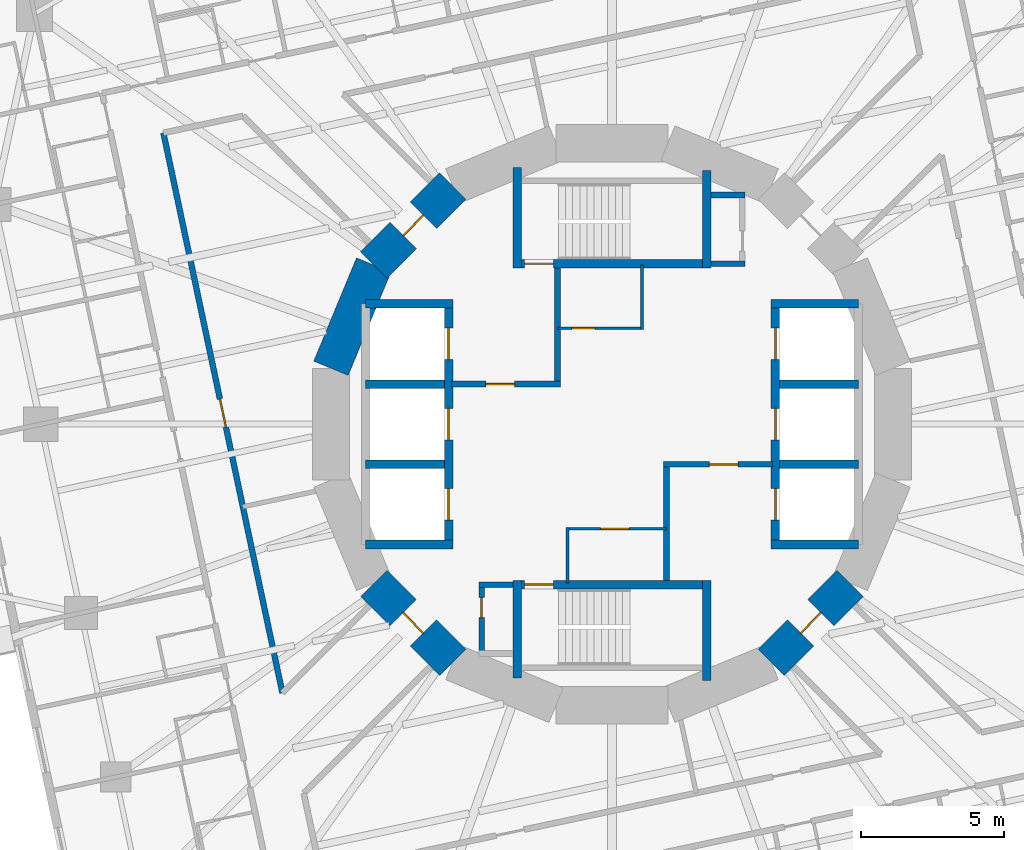
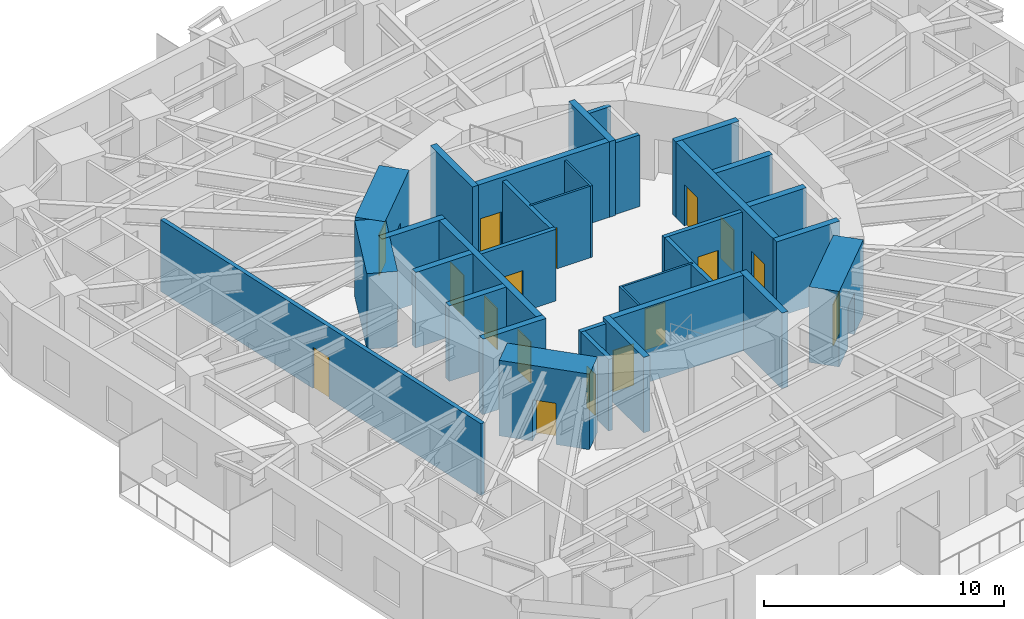
# One storey, part 7 of 14: 33 walls, 17 doors, 17 openings.
"""IFC4 building model written with IfcOpenShell, lengths in metres."""

from ifc_helpers import new_model, si_unit, direction, frame, frame_2d, origin, place, context, subcontext, project, spatial, rectangle, extrude, material, layer, layer_set, type_object, element, fill, save


model = new_model("IFC4")

# Units and contexts
model_context = context("Model", 3, precision=1e-05, world=origin(), true_north=direction((0.0, 1.0)))
body_context = subcontext(model_context, "Body", "Model", "MODEL_VIEW")
ifc_project = project(units=[si_unit("LENGTHUNIT", "METRE"), si_unit("AREAUNIT", "SQUARE_METRE"), si_unit("VOLUMEUNIT", "CUBIC_METRE"), si_unit("PLANEANGLEUNIT", "RADIAN"), si_unit("MASSUNIT", "GRAM", prefix="KILO")], contexts=[model_context])

# Site, building, storey
site_placement = place(None, origin())
site = spatial("IfcSite", under=ifc_project, at=site_placement, CompositionType="ELEMENT")
building_placement = place(site_placement, origin())
building = spatial("IfcBuilding", under=site, at=building_placement, Name="Nakasero Lantern House", CompositionType="ELEMENT")
storey_placement = place(building_placement, frame((0.0, 0.0, 120.39990234375)))
storey = spatial("IfcBuildingStorey", under=building, at=storey_placement, Name="L29", CompositionType="ELEMENT", Elevation=120.39990234375)

# Wall, openings, doors
ifc_material_1 = material(Name="Concrete C50/60", Category="concrete")
ifc_layer_1 = layer(ifc_material_1, 0.300048828125)
ifc_layer_set_1 = layer_set([ifc_layer_1], Name="Core inner wall 300")
wall_type_1 = type_object("IfcWallType", Name="Core inner wall 300", PredefinedType="SHEAR", material=ifc_layer_set_1)
wall_1_placement = place(storey_placement, frame((-5.699951171875, -4.199951171875, 0.0), z_axis=(0.0, 0.0, 1.0), x_axis=(0.0, 1.0, 0.0)))
wall_1 = element("IfcWall", 1, at=wall_1_placement, inside=storey, type_object=wall_type_1, Name="Core inner wall L29 LW", PredefinedType="SHEAR", context=body_context, shape_type="SweptSolid", body=[
    extrude(rectangle(XDim=8.39990234375, YDim=0.300048828125, at=frame_2d((4.199951171875, 0.0))), origin(), (0.0, 0.0, 1.0), 3.85009765625),
])
opening_1_placement = place(wall_1_placement, frame((0.85009765625, 0.0, 0.0)))
opening_1 = element("IfcOpeningElement", 2, at=opening_1_placement, cuts=wall_1, Name="Opening LD", PredefinedType="OPENING", context=body_context, shape_type="SweptSolid", body=[
    extrude(rectangle(XDim=1.10009765625, YDim=2.10009765625, at=frame_2d((0.550048828125, 1.050048828125))), frame((0.0, 0.169921875, 0.0), z_axis=(0.0, -1.0, 0.0), x_axis=(1.0, 0.0, 0.0)), (0.0, 0.0, 1.0), 0.340087890625),
])
opening_2_placement = place(wall_1_placement, frame((3.64990234375, 0.0, 0.0)))
opening_2 = element("IfcOpeningElement", 3, at=opening_2_placement, cuts=wall_1, Name="Opening LD", PredefinedType="OPENING", context=body_context, shape_type="SweptSolid", body=[
    extrude(rectangle(XDim=1.10009765625, YDim=2.10009765625, at=frame_2d((0.550048828125, 1.050048828125))), frame((0.0, 0.169921875, 0.0), z_axis=(0.0, -1.0, 0.0), x_axis=(1.0, 0.0, 0.0)), (0.0, 0.0, 1.0), 0.340087890625),
])
opening_3_placement = place(wall_1_placement, frame((6.449951171875, 0.0, 0.0)))
opening_3 = element("IfcOpeningElement", 4, at=opening_3_placement, cuts=wall_1, Name="Opening LD", PredefinedType="OPENING", context=body_context, shape_type="SweptSolid", body=[
    extrude(rectangle(XDim=1.10009765625, YDim=2.10009765625, at=frame_2d((0.550048828125, 1.050048828125))), frame((0.0, 0.169921875, 0.0), z_axis=(0.0, -1.0, 0.0), x_axis=(1.0, 0.0, 0.0)), (0.0, 0.0, 1.0), 0.340087890625),
])
ifc_material_2 = material(Name="Steel S355", Category="steel")
door_type_1 = type_object("IfcDoorType", Name="Lift landing door E120 1100", OperationType="SLIDING_TO_LEFT", PredefinedType="DOOR", material=ifc_material_2)
door_1_placement = place(opening_1_placement, origin())
door_1 = element("IfcDoor", 5, at=door_1_placement, inside=storey, type_object=door_type_1, Name="Lift landing door LW1", OperationType="SLIDING_TO_LEFT", OverallHeight=2.10009765625, OverallWidth=1.10009765625, PredefinedType="DOOR", context=body_context, shape_type="SweptSolid", body=[
    extrude(rectangle(XDim=1.10009765625, YDim=2.10009765625, at=frame_2d((0.550048828125, 1.050048828125))), frame((0.0, 0.02490234375, 0.0), z_axis=(0.0, -1.0, 0.0), x_axis=(1.0, 0.0, 0.0)), (0.0, 0.0, 1.0), 0.050048828125),
])
fill(opening_1, door_1)
door_2_placement = place(opening_2_placement, origin())
door_2 = element("IfcDoor", 6, at=door_2_placement, inside=storey, type_object=door_type_1, Name="Lift landing door LW2", OperationType="SLIDING_TO_LEFT", OverallHeight=2.10009765625, OverallWidth=1.10009765625, PredefinedType="DOOR", context=body_context, shape_type="SweptSolid", body=[
    extrude(rectangle(XDim=1.10009765625, YDim=2.10009765625, at=frame_2d((0.550048828125, 1.050048828125))), frame((0.0, 0.02490234375, 0.0), z_axis=(0.0, -1.0, 0.0), x_axis=(1.0, 0.0, 0.0)), (0.0, 0.0, 1.0), 0.050048828125),
])
fill(opening_2, door_2)
door_3_placement = place(opening_3_placement, origin())
door_3 = element("IfcDoor", 7, at=door_3_placement, inside=storey, type_object=door_type_1, Name="Lift landing door LW3", OperationType="SLIDING_TO_LEFT", OverallHeight=2.10009765625, OverallWidth=1.10009765625, PredefinedType="DOOR", context=body_context, shape_type="SweptSolid", body=[
    extrude(rectangle(XDim=1.10009765625, YDim=2.10009765625, at=frame_2d((0.550048828125, 1.050048828125))), frame((0.0, 0.02490234375, 0.0), z_axis=(0.0, -1.0, 0.0), x_axis=(1.0, 0.0, 0.0)), (0.0, 0.0, 1.0), 0.050048828125),
])
fill(opening_3, door_3)

wall_2_placement = place(storey_placement, frame((5.699951171875, -4.199951171875, 0.0), z_axis=(0.0, 0.0, 1.0), x_axis=(0.0, 1.0, 0.0)))
wall_2 = element("IfcWall", 8, at=wall_2_placement, inside=storey, type_object=wall_type_1, Name="Core inner wall L29 LE", PredefinedType="SHEAR", context=body_context, shape_type="SweptSolid", body=[
    extrude(rectangle(XDim=8.39990234375, YDim=0.300048828125, at=frame_2d((4.199951171875, 0.0))), origin(), (0.0, 0.0, 1.0), 3.85009765625),
])
opening_4_placement = place(wall_2_placement, frame((0.85009765625, 0.0, 0.0)))
opening_4 = element("IfcOpeningElement", 9, at=opening_4_placement, cuts=wall_2, Name="Opening LD", PredefinedType="OPENING", context=body_context, shape_type="SweptSolid", body=[
    extrude(rectangle(XDim=1.10009765625, YDim=2.10009765625, at=frame_2d((0.550048828125, 1.050048828125))), frame((0.0, 0.169921875, 0.0), z_axis=(0.0, -1.0, 0.0), x_axis=(1.0, 0.0, 0.0)), (0.0, 0.0, 1.0), 0.340087890625),
])
opening_5_placement = place(wall_2_placement, frame((3.64990234375, 0.0, 0.0)))
opening_5 = element("IfcOpeningElement", 10, at=opening_5_placement, cuts=wall_2, Name="Opening LD", PredefinedType="OPENING", context=body_context, shape_type="SweptSolid", body=[
    extrude(rectangle(XDim=1.10009765625, YDim=2.10009765625, at=frame_2d((0.550048828125, 1.050048828125))), frame((0.0, 0.169921875, 0.0), z_axis=(0.0, -1.0, 0.0), x_axis=(1.0, 0.0, 0.0)), (0.0, 0.0, 1.0), 0.340087890625),
])
opening_6_placement = place(wall_2_placement, frame((6.449951171875, 0.0, 0.0)))
opening_6 = element("IfcOpeningElement", 11, at=opening_6_placement, cuts=wall_2, Name="Opening LD", PredefinedType="OPENING", context=body_context, shape_type="SweptSolid", body=[
    extrude(rectangle(XDim=1.10009765625, YDim=2.10009765625, at=frame_2d((0.550048828125, 1.050048828125))), frame((0.0, 0.169921875, 0.0), z_axis=(0.0, -1.0, 0.0), x_axis=(1.0, 0.0, 0.0)), (0.0, 0.0, 1.0), 0.340087890625),
])
door_4_placement = place(opening_4_placement, origin())
door_4 = element("IfcDoor", 12, at=door_4_placement, inside=storey, type_object=door_type_1, Name="Lift landing door LE1", OperationType="SLIDING_TO_LEFT", OverallHeight=2.10009765625, OverallWidth=1.10009765625, PredefinedType="DOOR", context=body_context, shape_type="SweptSolid", body=[
    extrude(rectangle(XDim=1.10009765625, YDim=2.10009765625, at=frame_2d((0.550048828125, 1.050048828125))), frame((0.0, 0.02490234375, 0.0), z_axis=(0.0, -1.0, 0.0), x_axis=(1.0, 0.0, 0.0)), (0.0, 0.0, 1.0), 0.050048828125),
])
fill(opening_4, door_4)
door_5_placement = place(opening_5_placement, origin())
door_5 = element("IfcDoor", 13, at=door_5_placement, inside=storey, type_object=door_type_1, Name="Lift landing door LE2", OperationType="SLIDING_TO_LEFT", OverallHeight=2.10009765625, OverallWidth=1.10009765625, PredefinedType="DOOR", context=body_context, shape_type="SweptSolid", body=[
    extrude(rectangle(XDim=1.10009765625, YDim=2.10009765625, at=frame_2d((0.550048828125, 1.050048828125))), frame((0.0, 0.02490234375, 0.0), z_axis=(0.0, -1.0, 0.0), x_axis=(1.0, 0.0, 0.0)), (0.0, 0.0, 1.0), 0.050048828125),
])
fill(opening_5, door_5)
door_6_placement = place(opening_6_placement, origin())
door_6 = element("IfcDoor", 14, at=door_6_placement, inside=storey, type_object=door_type_1, Name="Lift landing door LE3", OperationType="SLIDING_TO_LEFT", OverallHeight=2.10009765625, OverallWidth=1.10009765625, PredefinedType="DOOR", context=body_context, shape_type="SweptSolid", body=[
    extrude(rectangle(XDim=1.10009765625, YDim=2.10009765625, at=frame_2d((0.550048828125, 1.050048828125))), frame((0.0, 0.02490234375, 0.0), z_axis=(0.0, -1.0, 0.0), x_axis=(1.0, 0.0, 0.0)), (0.0, 0.0, 1.0), 0.050048828125),
])
fill(opening_6, door_6)

# Walls
for number, where, z_axis, x_axis, name in (
    (15, (-8.60009765625, 4.199951171875, 0.0), (0.0, 0.0, 1.0), (1.0, 0.0, 0.0), "Core inner wall L29 LWN"),
    (16, (-8.60009765625, -4.199951171875, 0.0), (0.0, 0.0, 1.0), (1.0, 0.0, 0.0), "Core inner wall L29 LWS"),
    (17, (5.550048828125, 4.199951171875, 0.0), (0.0, 0.0, 1.0), (1.0, 0.0, 0.0), "Core inner wall L29 LEN"),
    (18, (5.550048828125, -4.199951171875, 0.0), (0.0, 0.0, 1.0), (1.0, 0.0, 0.0), "Core inner wall L29 LES"),
):
    element("IfcWall", number, at=place(storey_placement, frame(where, z_axis=z_axis, x_axis=x_axis)), inside=storey, type_object=wall_type_1, Name=name, PredefinedType="SHEAR", context=body_context, shape_type="SweptSolid", body=[
        extrude(rectangle(XDim=3.050048828125, YDim=0.300048828125, at=frame_2d((1.52490234375, 0.0))), origin(), (0.0, 0.0, 1.0), 3.85009765625),
    ])
for number, where, z_axis, x_axis, name in (
    (19, (-8.60009765625, -1.39990234375, 0.0), (0.0, 0.0, 1.0), (1.0, 0.0, 0.0), "Core inner wall L29 LW1"),
    (20, (-8.60009765625, 1.39990234375, 0.0), (0.0, 0.0, 1.0), (1.0, 0.0, 0.0), "Core inner wall L29 LW2"),
    (21, (5.85009765625, -1.39990234375, 0.0), (0.0, 0.0, 1.0), (1.0, 0.0, 0.0), "Core inner wall L29 LE1"),
    (22, (5.85009765625, 1.39990234375, 0.0), (0.0, 0.0, 1.0), (1.0, 0.0, 0.0), "Core inner wall L29 LE2"),
):
    element("IfcWall", number, at=place(storey_placement, frame(where, z_axis=z_axis, x_axis=x_axis)), inside=storey, type_object=wall_type_1, Name=name, PredefinedType="SHEAR", context=body_context, shape_type="SweptSolid", body=[
        extrude(rectangle(XDim=2.75, YDim=0.300048828125, at=frame_2d((1.375, 0.0))), origin(), (0.0, 0.0, 1.0), 3.85009765625),
    ])

# Wall, opening, door
wall_3_placement = place(storey_placement, frame((-3.449951171875, 5.60009765625, 0.0), z_axis=(0.0, 0.0, 1.0), x_axis=(1.0, 0.0, 0.0)))
wall_3 = element("IfcWall", 23, at=wall_3_placement, inside=storey, type_object=wall_type_1, Name="Core inner wall L29 SN", PredefinedType="SHEAR", context=body_context, shape_type="SweptSolid", body=[
    extrude(rectangle(XDim=6.89990234375, YDim=0.300048828125, at=frame_2d((3.449951171875, 0.0))), origin(), (0.0, 0.0, 1.0), 3.85009765625),
])
opening_7_placement = place(wall_3_placement, frame((0.39990234375, 0.0, 0.0)))
opening_7 = element("IfcOpeningElement", 24, at=opening_7_placement, cuts=wall_3, Name="Opening D05", PredefinedType="OPENING", context=body_context, shape_type="SweptSolid", body=[
    extrude(rectangle(XDim=1.0, YDim=2.10009765625, at=frame_2d((0.5, 1.050048828125))), frame((0.0, 0.169921875, 0.0), z_axis=(0.0, -1.0, 0.0), x_axis=(1.0, 0.0, 0.0)), (0.0, 0.0, 1.0), 0.340087890625),
])
ifc_material_3 = material(Name="Timber C24", Category="wood")
door_type_2 = type_object("IfcDoorType", Name="Core door FD60S 1000", OperationType="SINGLE_SWING_LEFT", PredefinedType="DOOR", material=ifc_material_3)
door_7_placement = place(opening_7_placement, origin())
door_7 = element("IfcDoor", 25, at=door_7_placement, inside=storey, type_object=door_type_2, Name="Door L29 D-ST1", OperationType="SINGLE_SWING_LEFT", OverallHeight=2.10009765625, OverallWidth=1.0, PredefinedType="DOOR", context=body_context, shape_type="SweptSolid", body=[
    extrude(rectangle(XDim=1.0, YDim=2.10009765625, at=frame_2d((0.5, 1.050048828125))), frame((0.0, 0.02490234375, 0.0), z_axis=(0.0, -1.0, 0.0), x_axis=(1.0, 0.0, 0.0)), (0.0, 0.0, 1.0), 0.050048828125),
])
fill(opening_7, door_7)

# Walls
wall_4_placement = place(storey_placement, frame((-3.300048828125, 5.449951171875, 0.0), z_axis=(0.0, 0.0, 1.0), x_axis=(0.0, 1.0, 0.0)))
element("IfcWall", 26, at=wall_4_placement, inside=storey, type_object=wall_type_1, Name="Core inner wall L29 SNW", PredefinedType="SHEAR", context=body_context, shape_type="SweptSolid", body=[
    extrude(rectangle(XDim=3.5, YDim=0.300048828125, at=frame_2d((1.75, 0.0))), origin(), (0.0, 0.0, 1.0), 3.85009765625),
])
wall_5_placement = place(storey_placement, frame((3.300048828125, 5.449951171875, 0.0), z_axis=(0.0, 0.0, 1.0), x_axis=(0.0, 1.0, 0.0)))
element("IfcWall", 27, at=wall_5_placement, inside=storey, type_object=wall_type_1, Name="Core inner wall L29 SNE", PredefinedType="SHEAR", context=body_context, shape_type="SweptSolid", body=[
    extrude(rectangle(XDim=3.400146484375, YDim=0.300048828125, at=frame_2d((1.7001953125, 0.0))), origin(), (0.0, 0.0, 1.0), 3.85009765625),
])

# Wall, opening, door
wall_6_placement = place(storey_placement, frame((-3.449951171875, -5.60009765625, 0.0), z_axis=(0.0, 0.0, 1.0), x_axis=(1.0, 0.0, 0.0)))
wall_6 = element("IfcWall", 28, at=wall_6_placement, inside=storey, type_object=wall_type_1, Name="Core inner wall L29 SS", PredefinedType="SHEAR", context=body_context, shape_type="SweptSolid", body=[
    extrude(rectangle(XDim=6.89990234375, YDim=0.300048828125, at=frame_2d((3.449951171875, 0.0))), origin(), (0.0, 0.0, 1.0), 3.85009765625),
])
opening_8_placement = place(wall_6_placement, frame((0.39990234375, 0.0, 0.0)))
opening_8 = element("IfcOpeningElement", 29, at=opening_8_placement, cuts=wall_6, Name="Opening D05", PredefinedType="OPENING", context=body_context, shape_type="SweptSolid", body=[
    extrude(rectangle(XDim=1.0, YDim=2.10009765625, at=frame_2d((0.5, 1.050048828125))), frame((0.0, 0.169921875, 0.0), z_axis=(0.0, -1.0, 0.0), x_axis=(1.0, 0.0, 0.0)), (0.0, 0.0, 1.0), 0.340087890625),
])
door_8_placement = place(opening_8_placement, origin())
door_8 = element("IfcDoor", 30, at=door_8_placement, inside=storey, type_object=door_type_2, Name="Door L29 D-ST2", OperationType="SINGLE_SWING_LEFT", OverallHeight=2.10009765625, OverallWidth=1.0, PredefinedType="DOOR", context=body_context, shape_type="SweptSolid", body=[
    extrude(rectangle(XDim=1.0, YDim=2.10009765625, at=frame_2d((0.5, 1.050048828125))), frame((0.0, 0.02490234375, 0.0), z_axis=(0.0, -1.0, 0.0), x_axis=(1.0, 0.0, 0.0)), (0.0, 0.0, 1.0), 0.050048828125),
])
fill(opening_8, door_8)

# Walls
wall_7_placement = place(storey_placement, frame((-3.300048828125, -5.449951171875, 0.0), z_axis=(0.0, 0.0, 1.0), x_axis=(0.0, -1.0, 0.0)))
element("IfcWall", 31, at=wall_7_placement, inside=storey, type_object=wall_type_1, Name="Core inner wall L29 SSW", PredefinedType="SHEAR", context=body_context, shape_type="SweptSolid", body=[
    extrude(rectangle(XDim=3.400146484375, YDim=0.300048828125, at=frame_2d((1.7001953125, 0.0))), origin(), (0.0, 0.0, 1.0), 3.85009765625),
])
wall_8_placement = place(storey_placement, frame((3.300048828125, -5.449951171875, 0.0), z_axis=(0.0, 0.0, 1.0), x_axis=(0.0, -1.0, 0.0)))
element("IfcWall", 32, at=wall_8_placement, inside=storey, type_object=wall_type_1, Name="Core inner wall L29 SSE", PredefinedType="SHEAR", context=body_context, shape_type="SweptSolid", body=[
    extrude(rectangle(XDim=3.5, YDim=0.300048828125, at=frame_2d((1.75, 0.0))), origin(), (0.0, 0.0, 1.0), 3.85009765625),
])

# Wall, opening, door
ifc_material_4 = material(Name="Blockwork", Category="masonry")
ifc_layer_2 = layer(ifc_material_4, 0.10009765625)
ifc_layer_set_2 = layer_set([ifc_layer_2], Name="Core room wall 100")
wall_type_2 = type_object("IfcWallType", Name="Core room wall 100", PredefinedType="PARTITIONING", material=ifc_layer_set_2)
wall_9_placement = place(storey_placement, frame((-1.89990234375, 3.35009765625, 0.0), z_axis=(0.0, 0.0, 1.0), x_axis=(1.0, 0.0, 0.0)))
wall_9 = element("IfcWall", 33, at=wall_9_placement, inside=storey, type_object=wall_type_2, Name="Core room wall L29 CR-NES", PredefinedType="PARTITIONING", context=body_context, shape_type="SweptSolid", body=[
    extrude(rectangle(XDim=3.0, YDim=0.10009765625, at=frame_2d((1.5, 0.0))), origin(), (0.0, 0.0, 1.0), 3.650146484375),
])
opening_9_placement = place(wall_9_placement, frame((0.5, 0.0, 0.0)))
opening_9 = element("IfcOpeningElement", 34, at=opening_9_placement, cuts=wall_9, Name="Opening D15", PredefinedType="OPENING", context=body_context, shape_type="SweptSolid", body=[
    extrude(rectangle(XDim=0.800048828125, YDim=2.10009765625, at=frame_2d((0.39990234375, 1.050048828125))), frame((0.0, 0.070068359375, 0.0), z_axis=(0.0, -1.0, 0.0), x_axis=(1.0, 0.0, 0.0)), (0.0, 0.0, 1.0), 0.14013671875),
])
ifc_material_5 = material(Name="Timber C24", Category="wood")
door_type_3 = type_object("IfcDoorType", Name="Cleaner's store door FD30S 800", OperationType="SINGLE_SWING_LEFT", PredefinedType="DOOR", material=ifc_material_5)
door_9_placement = place(opening_9_placement, origin())
door_9 = element("IfcDoor", 35, at=door_9_placement, inside=storey, type_object=door_type_3, Name="Door L29 D-CR-NE", OperationType="SINGLE_SWING_LEFT", OverallHeight=2.10009765625, OverallWidth=0.800048828125, PredefinedType="DOOR", context=body_context, shape_type="SweptSolid", body=[
    extrude(rectangle(XDim=0.800048828125, YDim=2.10009765625, at=frame_2d((0.39990234375, 1.050048828125))), frame((0.0, 0.02490234375, 0.0), z_axis=(0.0, -1.0, 0.0), x_axis=(1.0, 0.0, 0.0)), (0.0, 0.0, 1.0), 0.050048828125),
])
fill(opening_9, door_9)

# Wall
wall_10_placement = place(storey_placement, frame((1.050048828125, 3.300048828125, 0.0), z_axis=(0.0, 0.0, 1.0), x_axis=(0.0, 1.0, 0.0)))
element("IfcWall", 36, at=wall_10_placement, inside=storey, type_object=wall_type_2, Name="Core room wall L29 CR-NEE", PredefinedType="PARTITIONING", context=body_context, shape_type="SweptSolid", body=[
    extrude(rectangle(XDim=2.25, YDim=0.10009765625, at=frame_2d((1.125, 0.0))), origin(), (0.0, 0.0, 1.0), 3.650146484375),
])

# Wall, opening, door
wall_11_placement = place(storey_placement, frame((-1.60009765625, -3.64990234375, 0.0), z_axis=(0.0, 0.0, 1.0), x_axis=(1.0, 0.0, 0.0)))
wall_11 = element("IfcWall", 37, at=wall_11_placement, inside=storey, type_object=wall_type_2, Name="Core room wall L29 CR-SWN", PredefinedType="PARTITIONING", context=body_context, shape_type="SweptSolid", body=[
    extrude(rectangle(XDim=3.5, YDim=0.10009765625, at=frame_2d((1.75, 0.0))), origin(), (0.0, 0.0, 1.0), 3.650146484375),
])
opening_10_placement = place(wall_11_placement, frame((1.199951171875, 0.0, 0.0)))
opening_10 = element("IfcOpeningElement", 38, at=opening_10_placement, cuts=wall_11, Name="Opening D07", PredefinedType="OPENING", context=body_context, shape_type="SweptSolid", body=[
    extrude(rectangle(XDim=1.0, YDim=2.10009765625, at=frame_2d((0.5, 1.050048828125))), frame((0.0, 0.070068359375, 0.0), z_axis=(0.0, -1.0, 0.0), x_axis=(1.0, 0.0, 0.0)), (0.0, 0.0, 1.0), 0.14013671875),
])
ifc_material_6 = material(Name="Timber C24", Category="wood")
door_type_4 = type_object("IfcDoorType", Name="Room door FD30S 1000", OperationType="SINGLE_SWING_LEFT", PredefinedType="DOOR", material=ifc_material_6)
door_10_placement = place(opening_10_placement, origin())
door_10 = element("IfcDoor", 39, at=door_10_placement, inside=storey, type_object=door_type_4, Name="Door L29 D-CR-SW", OperationType="SINGLE_SWING_LEFT", OverallHeight=2.10009765625, OverallWidth=1.0, PredefinedType="DOOR", context=body_context, shape_type="SweptSolid", body=[
    extrude(rectangle(XDim=1.0, YDim=2.10009765625, at=frame_2d((0.5, 1.050048828125))), frame((0.0, 0.02490234375, 0.0), z_axis=(0.0, -1.0, 0.0), x_axis=(1.0, 0.0, 0.0)), (0.0, 0.0, 1.0), 0.050048828125),
])
fill(opening_10, door_10)

# Wall
wall_12_placement = place(storey_placement, frame((-1.550048828125, -5.550048828125, 0.0), z_axis=(0.0, 0.0, 1.0), x_axis=(0.0, 1.0, 0.0)))
element("IfcWall", 40, at=wall_12_placement, inside=storey, type_object=wall_type_2, Name="Core room wall L29 CR-SWW", PredefinedType="PARTITIONING", context=body_context, shape_type="SweptSolid", body=[
    extrude(rectangle(XDim=1.949951171875, YDim=0.10009765625, at=frame_2d((0.97509765625, 0.0))), origin(), (0.0, 0.0, 1.0), 3.650146484375),
])

# Wall, opening, door
ifc_material_7 = material(Name="Concrete C50/60", Category="concrete")
ifc_layer_3 = layer(ifc_material_7, 1.300048828125)
ifc_layer_set_3 = layer_set([ifc_layer_3], Name="Core wall 1300")
wall_type_3 = type_object("IfcWallType", Name="Core wall 1300", PredefinedType="SHEAR", material=ifc_layer_set_3)
wall_13_placement = place(storey_placement, frame((-5.5556640625, 8.314697265625, 0.0), z_axis=(0.0, 0.0, 1.0), x_axis=(-0.707106781187, -0.707106781187, 0.0)))
wall_13 = element("IfcWall", 41, at=wall_13_placement, inside=storey, type_object=wall_type_3, Name="Core wall L29 facet 6", PredefinedType="SHEAR", context=body_context, shape_type="SweptSolid", body=[
    extrude(rectangle(XDim=3.90185546875, YDim=1.300048828125, at=frame_2d((1.950927734375, 0.0))), origin(), (0.0, 0.0, 1.0), 3.85009765625),
])
opening_11_placement = place(wall_13_placement, frame((1.450927734375, 0.0, 0.0)))
opening_11 = element("IfcOpeningElement", 42, at=opening_11_placement, cuts=wall_13, Name="Opening D05", PredefinedType="OPENING", context=body_context, shape_type="SweptSolid", body=[
    extrude(rectangle(XDim=1.0, YDim=2.10009765625, at=frame_2d((0.5, 1.050048828125))), frame((0.0, 0.669921875, 0.0), z_axis=(0.0, -1.0, 0.0), x_axis=(1.0, 0.0, 0.0)), (0.0, 0.0, 1.0), 1.340087890625),
])
door_11_placement = place(opening_11_placement, origin())
door_11 = element("IfcDoor", 43, at=door_11_placement, inside=storey, type_object=door_type_2, Name="Door L29 D-CORE06", OperationType="SINGLE_SWING_LEFT", OverallHeight=2.10009765625, OverallWidth=1.0, PredefinedType="DOOR", context=body_context, shape_type="SweptSolid", body=[
    extrude(rectangle(XDim=1.0, YDim=2.10009765625, at=frame_2d((0.5, 1.050048828125))), frame((0.0, 0.02490234375, 0.0), z_axis=(0.0, -1.0, 0.0), x_axis=(1.0, 0.0, 0.0)), (0.0, 0.0, 1.0), 0.050048828125),
])
fill(opening_11, door_11)

# Wall
wall_14_placement = place(storey_placement, frame((-8.314697265625, 5.5556640625, 0.0), z_axis=(0.0, 0.0, 1.0), x_axis=(-0.382690736062, -0.923876507187, 0.0)))
element("IfcWall", 44, at=wall_14_placement, inside=storey, type_object=wall_type_3, Name="Core wall L29 facet 7", PredefinedType="SHEAR", context=body_context, shape_type="SweptSolid", body=[
    extrude(rectangle(XDim=3.90185546875, YDim=1.300048828125, at=frame_2d((1.950927734375, 0.0))), origin(), (0.0, 0.0, 1.0), 3.85009765625),
])

# Wall, opening, door
wall_15_placement = place(storey_placement, frame((-8.314697265625, -5.5556640625, 0.0), z_axis=(0.0, 0.0, 1.0), x_axis=(0.707106781187, -0.707106781187, 0.0)))
wall_15 = element("IfcWall", 45, at=wall_15_placement, inside=storey, type_object=wall_type_3, Name="Core wall L29 facet 10", PredefinedType="SHEAR", context=body_context, shape_type="SweptSolid", body=[
    extrude(rectangle(XDim=3.90185546875, YDim=1.300048828125, at=frame_2d((1.950927734375, 0.0))), origin(), (0.0, 0.0, 1.0), 3.85009765625),
])
opening_12_placement = place(wall_15_placement, frame((1.450927734375, 0.0, 0.0)))
opening_12 = element("IfcOpeningElement", 46, at=opening_12_placement, cuts=wall_15, Name="Opening D05", PredefinedType="OPENING", context=body_context, shape_type="SweptSolid", body=[
    extrude(rectangle(XDim=1.0, YDim=2.10009765625, at=frame_2d((0.5, 1.050048828125))), frame((0.0, 0.669921875, 0.0), z_axis=(0.0, -1.0, 0.0), x_axis=(1.0, 0.0, 0.0)), (0.0, 0.0, 1.0), 1.340087890625),
])
door_12_placement = place(opening_12_placement, origin())
door_12 = element("IfcDoor", 47, at=door_12_placement, inside=storey, type_object=door_type_2, Name="Door L29 D-CORE10", OperationType="SINGLE_SWING_LEFT", OverallHeight=2.10009765625, OverallWidth=1.0, PredefinedType="DOOR", context=body_context, shape_type="SweptSolid", body=[
    extrude(rectangle(XDim=1.0, YDim=2.10009765625, at=frame_2d((0.5, 1.050048828125))), frame((0.0, 0.02490234375, 0.0), z_axis=(0.0, -1.0, 0.0), x_axis=(1.0, 0.0, 0.0)), (0.0, 0.0, 1.0), 0.050048828125),
])
fill(opening_12, door_12)

wall_16_placement = place(storey_placement, frame((5.5556640625, -8.314697265625, 0.0), z_axis=(0.0, 0.0, 1.0), x_axis=(0.707106781187, 0.707106781187, 0.0)))
wall_16 = element("IfcWall", 48, at=wall_16_placement, inside=storey, type_object=wall_type_3, Name="Core wall L29 facet 14", PredefinedType="SHEAR", context=body_context, shape_type="SweptSolid", body=[
    extrude(rectangle(XDim=3.90185546875, YDim=1.300048828125, at=frame_2d((1.950927734375, 0.0))), origin(), (0.0, 0.0, 1.0), 3.85009765625),
])
opening_13_placement = place(wall_16_placement, frame((1.450927734375, 0.0, 0.0)))
opening_13 = element("IfcOpeningElement", 49, at=opening_13_placement, cuts=wall_16, Name="Opening D05", PredefinedType="OPENING", context=body_context, shape_type="SweptSolid", body=[
    extrude(rectangle(XDim=1.0, YDim=2.10009765625, at=frame_2d((0.5, 1.050048828125))), frame((0.0, 0.669921875, 0.0), z_axis=(0.0, -1.0, 0.0), x_axis=(1.0, 0.0, 0.0)), (0.0, 0.0, 1.0), 1.340087890625),
])
door_13_placement = place(opening_13_placement, origin())
door_13 = element("IfcDoor", 50, at=door_13_placement, inside=storey, type_object=door_type_2, Name="Door L29 D-CORE14", OperationType="SINGLE_SWING_LEFT", OverallHeight=2.10009765625, OverallWidth=1.0, PredefinedType="DOOR", context=body_context, shape_type="SweptSolid", body=[
    extrude(rectangle(XDim=1.0, YDim=2.10009765625, at=frame_2d((0.5, 1.050048828125))), frame((0.0, 0.02490234375, 0.0), z_axis=(0.0, -1.0, 0.0), x_axis=(1.0, 0.0, 0.0)), (0.0, 0.0, 1.0), 0.050048828125),
])
fill(opening_13, door_13)

ifc_material_8 = material(Name="Blockwork", Category="masonry")
ifc_layer_4 = layer(ifc_material_8, 0.199951171875)
ifc_layer_set_4 = layer_set([ifc_layer_4], Name="Corridor wall 200")
wall_type_4 = type_object("IfcWallType", Name="Corridor wall 200", PredefinedType="PARTITIONING", material=ifc_layer_set_4)
wall_17_placement = place(storey_placement, frame((-15.656005859375, 10.1669921875, 0.0), z_axis=(0.0, 0.0, 1.0), x_axis=(0.20791018816, -0.978147920132, 0.0)))
wall_17 = element("IfcWall", 51, at=wall_17_placement, inside=storey, type_object=wall_type_4, Name="Corridor wall L29 IW2-0", PredefinedType="PARTITIONING", context=body_context, shape_type="SweptSolid", body=[
    extrude(rectangle(XDim=19.983642578125, YDim=0.199951171875, at=frame_2d((9.99169921875, 0.0))), origin(), (0.0, 0.0, 1.0), 3.650146484375),
])
opening_14_placement = place(wall_17_placement, frame((9.49169921875, 0.0, 0.0)))
opening_14 = element("IfcOpeningElement", 52, at=opening_14_placement, cuts=wall_17, Name="Opening D07", PredefinedType="OPENING", context=body_context, shape_type="SweptSolid", body=[
    extrude(rectangle(XDim=1.0, YDim=2.10009765625, at=frame_2d((0.5, 1.050048828125))), frame((0.0, 0.119873046875, 0.0), z_axis=(0.0, -1.0, 0.0), x_axis=(1.0, 0.0, 0.0)), (0.0, 0.0, 1.0), 0.239990234375),
])
door_14_placement = place(opening_14_placement, origin())
door_14 = element("IfcDoor", 53, at=door_14_placement, inside=storey, type_object=door_type_4, Name="Door L29 DI7", OperationType="SINGLE_SWING_LEFT", OverallHeight=2.10009765625, OverallWidth=1.0, PredefinedType="DOOR", context=body_context, shape_type="SweptSolid", body=[
    extrude(rectangle(XDim=1.0, YDim=2.10009765625, at=frame_2d((0.5, 1.050048828125))), frame((0.0, 0.02490234375, 0.0), z_axis=(0.0, -1.0, 0.0), x_axis=(1.0, 0.0, 0.0)), (0.0, 0.0, 1.0), 0.050048828125),
])
fill(opening_14, door_14)

ifc_material_9 = material(Name="Blockwork", Category="masonry")
ifc_layer_5 = layer(ifc_material_9, 0.199951171875)
ifc_layer_set_5 = layer_set([ifc_layer_5], Name="Fire lobby wall 200")
wall_type_5 = type_object("IfcWallType", Name="Fire lobby wall 200", PredefinedType="PARTITIONING", material=ifc_layer_set_5)
wall_18_placement = place(storey_placement, frame((-5.60009765625, 1.39990234375, 0.0), z_axis=(0.0, 0.0, 1.0), x_axis=(1.0, 0.0, 0.0)))
wall_18 = element("IfcWall", 54, at=wall_18_placement, inside=storey, type_object=wall_type_5, Name="Fire lobby wall L29 W-FL1S", PredefinedType="PARTITIONING", context=body_context, shape_type="SweptSolid", body=[
    extrude(rectangle(XDim=3.800048828125, YDim=0.199951171875, at=frame_2d((1.89990234375, 0.0))), origin(), (0.0, 0.0, 1.0), 3.650146484375),
])
opening_15_placement = place(wall_18_placement, frame((1.199951171875, 0.0, 0.0)))
opening_15 = element("IfcOpeningElement", 55, at=opening_15_placement, cuts=wall_18, Name="Opening D05", PredefinedType="OPENING", context=body_context, shape_type="SweptSolid", body=[
    extrude(rectangle(XDim=1.0, YDim=2.10009765625, at=frame_2d((0.5, 1.050048828125))), frame((0.0, 0.119873046875, 0.0), z_axis=(0.0, -1.0, 0.0), x_axis=(1.0, 0.0, 0.0)), (0.0, 0.0, 1.0), 0.239990234375),
])
door_15_placement = place(opening_15_placement, origin())
door_15 = element("IfcDoor", 56, at=door_15_placement, inside=storey, type_object=door_type_2, Name="Door L29 D-FL1", OperationType="SINGLE_SWING_LEFT", OverallHeight=2.10009765625, OverallWidth=1.0, PredefinedType="DOOR", context=body_context, shape_type="SweptSolid", body=[
    extrude(rectangle(XDim=1.0, YDim=2.10009765625, at=frame_2d((0.5, 1.050048828125))), frame((0.0, 0.02490234375, 0.0), z_axis=(0.0, -1.0, 0.0), x_axis=(1.0, 0.0, 0.0)), (0.0, 0.0, 1.0), 0.050048828125),
])
fill(opening_15, door_15)

# Wall
wall_19_placement = place(storey_placement, frame((-1.89990234375, 1.5, 0.0), z_axis=(0.0, 0.0, 1.0), x_axis=(0.0, 1.0, 0.0)))
element("IfcWall", 57, at=wall_19_placement, inside=storey, type_object=wall_type_5, Name="Fire lobby wall L29 W-FL1E", PredefinedType="PARTITIONING", context=body_context, shape_type="SweptSolid", body=[
    extrude(rectangle(XDim=3.949951171875, YDim=0.199951171875, at=frame_2d((1.97509765625, 0.0))), origin(), (0.0, 0.0, 1.0), 3.650146484375),
])

# Wall, opening, door
wall_20_placement = place(storey_placement, frame((5.60009765625, -1.39990234375, 0.0), z_axis=(0.0, 0.0, 1.0), x_axis=(-1.0, 0.0, 0.0)))
wall_20 = element("IfcWall", 58, at=wall_20_placement, inside=storey, type_object=wall_type_5, Name="Fire lobby wall L29 W-FL2N", PredefinedType="PARTITIONING", context=body_context, shape_type="SweptSolid", body=[
    extrude(rectangle(XDim=3.800048828125, YDim=0.199951171875, at=frame_2d((1.89990234375, 0.0))), origin(), (0.0, 0.0, 1.0), 3.650146484375),
])
opening_16_placement = place(wall_20_placement, frame((1.199951171875, 0.0, 0.0)))
opening_16 = element("IfcOpeningElement", 59, at=opening_16_placement, cuts=wall_20, Name="Opening D05", PredefinedType="OPENING", context=body_context, shape_type="SweptSolid", body=[
    extrude(rectangle(XDim=1.0, YDim=2.10009765625, at=frame_2d((0.5, 1.050048828125))), frame((0.0, 0.119873046875, 0.0), z_axis=(0.0, -1.0, 0.0), x_axis=(1.0, 0.0, 0.0)), (0.0, 0.0, 1.0), 0.239990234375),
])
door_16_placement = place(opening_16_placement, origin())
door_16 = element("IfcDoor", 60, at=door_16_placement, inside=storey, type_object=door_type_2, Name="Door L29 D-FL2", OperationType="SINGLE_SWING_LEFT", OverallHeight=2.10009765625, OverallWidth=1.0, PredefinedType="DOOR", context=body_context, shape_type="SweptSolid", body=[
    extrude(rectangle(XDim=1.0, YDim=2.10009765625, at=frame_2d((0.5, 1.050048828125))), frame((0.0, 0.02490234375, 0.0), z_axis=(0.0, -1.0, 0.0), x_axis=(1.0, 0.0, 0.0)), (0.0, 0.0, 1.0), 0.050048828125),
])
fill(opening_16, door_16)

# Walls
wall_21_placement = place(storey_placement, frame((1.89990234375, -1.5, 0.0), z_axis=(0.0, 0.0, 1.0), x_axis=(0.0, -1.0, 0.0)))
element("IfcWall", 61, at=wall_21_placement, inside=storey, type_object=wall_type_5, Name="Fire lobby wall L29 W-FL2W", PredefinedType="PARTITIONING", context=body_context, shape_type="SweptSolid", body=[
    extrude(rectangle(XDim=3.949951171875, YDim=0.199951171875, at=frame_2d((1.97509765625, 0.0))), origin(), (0.0, 0.0, 1.0), 3.650146484375),
])
for number, where, z_axis, x_axis, name in (
    (62, (3.449951171875, 8.0, 0.0), (0.0, 0.0, 1.0), (1.0, 0.0, 0.0), "Fire lobby wall L29 W-RS1N"),
    (63, (3.449951171875, 5.60009765625, 0.0), (0.0, 0.0, 1.0), (1.0, 0.0, 0.0), "Fire lobby wall L29 W-RS1S"),
):
    element("IfcWall", number, at=place(storey_placement, frame(where, z_axis=z_axis, x_axis=x_axis)), inside=storey, type_object=wall_type_5, Name=name, PredefinedType="PARTITIONING", context=body_context, shape_type="SweptSolid", body=[
        extrude(rectangle(XDim=1.199951171875, YDim=0.199951171875, at=frame_2d((0.60009765625, 0.0))), origin(), (0.0, 0.0, 1.0), 3.650146484375),
    ])

# Wall, opening, door
wall_22_placement = place(storey_placement, frame((-4.550048828125, -5.60009765625, 0.0), z_axis=(0.0, 0.0, 1.0), x_axis=(0.0, -1.0, 0.0)))
wall_22 = element("IfcWall", 64, at=wall_22_placement, inside=storey, type_object=wall_type_5, Name="Fire lobby wall L29 W-RS2W", PredefinedType="PARTITIONING", context=body_context, shape_type="SweptSolid", body=[
    extrude(rectangle(XDim=2.39990234375, YDim=0.199951171875, at=frame_2d((1.199951171875, 0.0))), origin(), (0.0, 0.0, 1.0), 3.650146484375),
])
opening_17_placement = place(wall_22_placement, frame((0.449951171875, 0.0, 0.0)))
opening_17 = element("IfcOpeningElement", 65, at=opening_17_placement, cuts=wall_22, Name="Opening D06", PredefinedType="OPENING", context=body_context, shape_type="SweptSolid", body=[
    extrude(rectangle(XDim=0.699951171875, YDim=2.10009765625, at=frame_2d((0.35009765625, 1.050048828125))), frame((0.0, 0.119873046875, 0.0), z_axis=(0.0, -1.0, 0.0), x_axis=(1.0, 0.0, 0.0)), (0.0, 0.0, 1.0), 0.239990234375),
])
ifc_material_10 = material(Name="Steel S355", Category="steel")
door_type_5 = type_object("IfcDoorType", Name="Riser door FD60 700", OperationType="SINGLE_SWING_LEFT", PredefinedType="DOOR", material=ifc_material_10)
door_17_placement = place(opening_17_placement, origin())
door_17 = element("IfcDoor", 66, at=door_17_placement, inside=storey, type_object=door_type_5, Name="Door L29 D-RS2", OperationType="SINGLE_SWING_LEFT", OverallHeight=2.10009765625, OverallWidth=0.699951171875, PredefinedType="DOOR", context=body_context, shape_type="SweptSolid", body=[
    extrude(rectangle(XDim=0.699951171875, YDim=2.10009765625, at=frame_2d((0.35009765625, 1.050048828125))), frame((0.0, 0.02490234375, 0.0), z_axis=(0.0, -1.0, 0.0), x_axis=(1.0, 0.0, 0.0)), (0.0, 0.0, 1.0), 0.050048828125),
])
fill(opening_17, door_17)

# Wall
wall_23_placement = place(storey_placement, frame((-3.449951171875, -5.60009765625, 0.0), z_axis=(0.0, 0.0, 1.0), x_axis=(-1.0, 0.0, 0.0)))
element("IfcWall", 67, at=wall_23_placement, inside=storey, type_object=wall_type_5, Name="Fire lobby wall L29 W-RS2N", PredefinedType="PARTITIONING", context=body_context, shape_type="SweptSolid", body=[
    extrude(rectangle(XDim=1.199951171875, YDim=0.199951171875, at=frame_2d((0.60009765625, 0.0))), origin(), (0.0, 0.0, 1.0), 3.650146484375),
])

save(model, "model.ifc")
